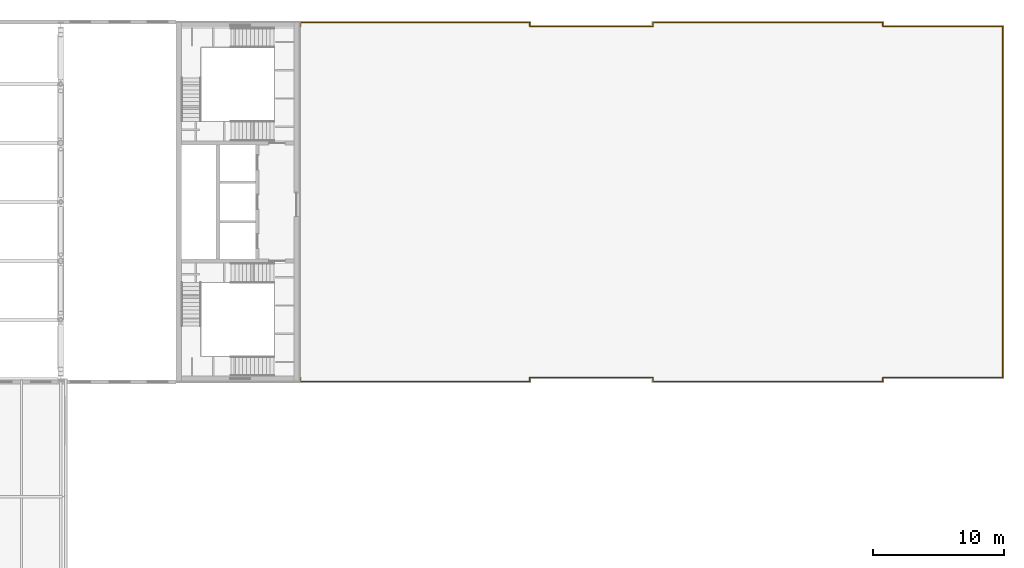
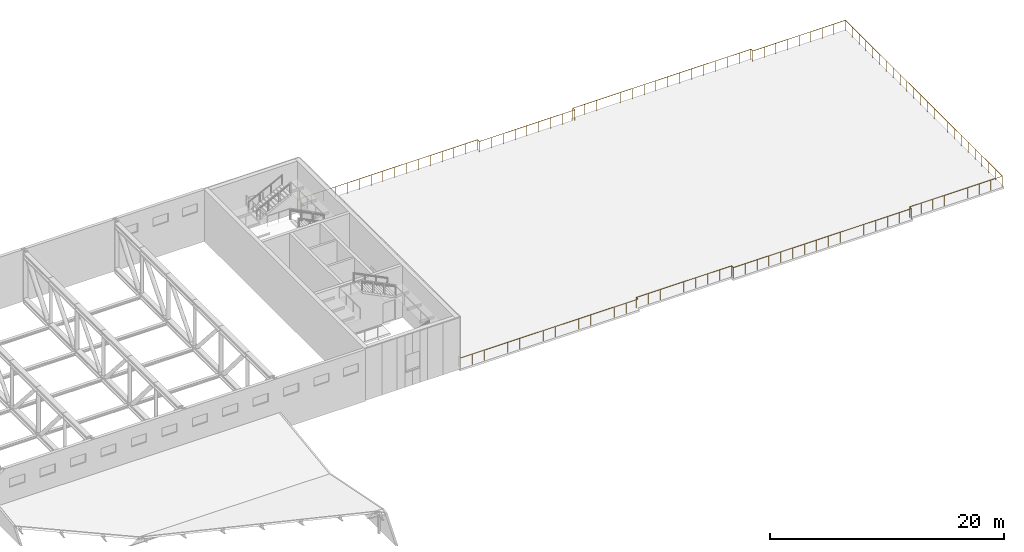
# One storey, part 29 of 29: 1 railing.
"""IFC4 building model written with IfcOpenShell, lengths in metres."""

from ifc_helpers import new_model, si_unit, direction, frame, origin, origin_2d, place, context, subcontext, project, spatial, circle, extrude, material, type_object, element, save


model = new_model("IFC4")

# Units and contexts
model_context = context("Model", 3, precision=1e-05, world=origin(), true_north=direction((0.0, 1.0)))
body_context = subcontext(model_context, "Body", "Model", "MODEL_VIEW")
ifc_project = project(units=[si_unit("LENGTHUNIT", "METRE"), si_unit("AREAUNIT", "SQUARE_METRE"), si_unit("VOLUMEUNIT", "CUBIC_METRE"), si_unit("PLANEANGLEUNIT", "RADIAN"), si_unit("MASSUNIT", "GRAM", prefix="KILO")], contexts=[model_context])

# Site, building, storey
site_placement = place(None, origin())
site = spatial("IfcSite", under=ifc_project, at=site_placement, CompositionType="ELEMENT")
building_placement = place(site_placement, origin())
building = spatial("IfcBuilding", under=site, at=building_placement, Name="Azimuth Sports and Learning Centre", CompositionType="ELEMENT")
storey_placement = place(building_placement, frame((0.0, 0.0, 27.0)))
storey = spatial("IfcBuildingStorey", under=building, at=storey_placement, Name="L05", CompositionType="ELEMENT", Elevation=27.0)

# Railing
ifc_material = material(Name="Stainless steel", Category="steel")
railing_type = type_object("IfcRailingType", Name="Terrace guard 1100", PredefinedType="GUARDRAIL", material=ifc_material)
railing_placement = place(storey_placement, frame((117.300048828125, 116.89990234375, 0.0)))
element("IfcRailing", 1, at=railing_placement, inside=storey, type_object=railing_type, Name="Terrace guard E", PredefinedType="GUARDRAIL", context=body_context, shape_type="SweptSolid", body=[
    extrude(circle(Radius=0.02490234375, at=origin_2d()), frame((0.0, 0.0, 1.0751953125), z_axis=(0.0, 1.0, 0.0), x_axis=(-1.0, 0.0, 0.0)), (0.0, 0.0, 1.0), 0.300048828125),
    extrude(circle(Radius=0.02490234375, at=origin_2d()), frame((0.0, 0.300048828125, 1.0751953125), z_axis=(1.0, 0.0, 0.0), x_axis=(0.0, 1.0, 0.0)), (0.0, 0.0, 1.0), 17.5),
    extrude(circle(Radius=0.02490234375, at=origin_2d()), frame((17.5, 0.300048828125, 1.0751953125), z_axis=(0.0, -1.0, 0.0), x_axis=(1.0, 0.0, 0.0)), (0.0, 0.0, 1.0), 0.300048828125),
    extrude(circle(Radius=0.02490234375, at=origin_2d()), frame((17.5, 0.0, 1.0751953125), z_axis=(1.0, 0.0, 0.0), x_axis=(0.0, 1.0, 0.0)), (0.0, 0.0, 1.0), 9.39990234375),
    extrude(circle(Radius=0.02490234375, at=origin_2d()), frame((26.89990234375, 0.0, 1.0751953125), z_axis=(0.0, 1.0, 0.0), x_axis=(-1.0, 0.0, 0.0)), (0.0, 0.0, 1.0), 0.300048828125),
    extrude(circle(Radius=0.02490234375, at=origin_2d()), frame((26.89990234375, 0.300048828125, 1.0751953125), z_axis=(1.0, 0.0, 0.0), x_axis=(0.0, 1.0, 0.0)), (0.0, 0.0, 1.0), 17.550048828125),
    extrude(circle(Radius=0.02490234375, at=origin_2d()), frame((44.449951171875, 0.300048828125, 1.0751953125), z_axis=(0.0, -1.0, 0.0), x_axis=(1.0, 0.0, 0.0)), (0.0, 0.0, 1.0), 0.300048828125),
    extrude(circle(Radius=0.02490234375, at=origin_2d()), frame((44.449951171875, 0.0, 1.0751953125), z_axis=(1.0, 0.0, 0.0), x_axis=(0.0, 1.0, 0.0)), (0.0, 0.0, 1.0), 9.14990234375),
    extrude(circle(Radius=0.02490234375, at=origin_2d()), frame((53.599853515625, 0.0, 1.0751953125), z_axis=(0.0, -1.0, 0.0), x_axis=(1.0, 0.0, 0.0)), (0.0, 0.0, 1.0), 26.7998046875),
    extrude(circle(Radius=0.02490234375, at=origin_2d()), frame((53.599853515625, -26.7998046875, 1.0751953125), z_axis=(-1.0, 0.0, 0.0), x_axis=(0.0, -1.0, 0.0)), (0.0, 0.0, 1.0), 9.14990234375),
    extrude(circle(Radius=0.02490234375, at=origin_2d()), frame((44.449951171875, -26.7998046875, 1.0751953125), z_axis=(0.0, -1.0, 0.0), x_axis=(1.0, 0.0, 0.0)), (0.0, 0.0, 1.0), 0.300048828125),
    extrude(circle(Radius=0.02490234375, at=origin_2d()), frame((44.449951171875, -27.099853515625, 1.0751953125), z_axis=(-1.0, 0.0, 0.0), x_axis=(0.0, -1.0, 0.0)), (0.0, 0.0, 1.0), 17.550048828125),
    extrude(circle(Radius=0.02490234375, at=origin_2d()), frame((26.89990234375, -27.099853515625, 1.0751953125), z_axis=(0.0, 1.0, 0.0), x_axis=(-1.0, 0.0, 0.0)), (0.0, 0.0, 1.0), 0.300048828125),
    extrude(circle(Radius=0.02490234375, at=origin_2d()), frame((26.89990234375, -26.7998046875, 1.0751953125), z_axis=(-1.0, 0.0, 0.0), x_axis=(0.0, -1.0, 0.0)), (0.0, 0.0, 1.0), 9.39990234375),
    extrude(circle(Radius=0.02490234375, at=origin_2d()), frame((17.5, -26.7998046875, 1.0751953125), z_axis=(0.0, -1.0, 0.0), x_axis=(1.0, 0.0, 0.0)), (0.0, 0.0, 1.0), 0.300048828125),
    extrude(circle(Radius=0.02490234375, at=origin_2d()), frame((17.5, -27.099853515625, 1.0751953125), z_axis=(-1.0, 0.0, 0.0), x_axis=(0.0, -1.0, 0.0)), (0.0, 0.0, 1.0), 17.5),
    extrude(circle(Radius=0.02490234375, at=origin_2d()), frame((0.0, -27.099853515625, 1.0751953125), z_axis=(0.0, 1.0, 0.0), x_axis=(-1.0, 0.0, 0.0)), (0.0, 0.0, 1.0), 0.300048828125),
    extrude(circle(Radius=0.02001953125, at=origin_2d()), origin(), (0.0, 0.0, 1.0), 1.050048828125),
    extrude(circle(Radius=0.02001953125, at=origin_2d()), frame((0.0, 0.300048828125, 0.0)), (0.0, 0.0, 1.0), 1.050048828125),
    extrude(circle(Radius=0.02001953125, at=origin_2d()), frame((1.166748046875, 0.300048828125, 0.0)), (0.0, 0.0, 1.0), 1.050048828125),
    extrude(circle(Radius=0.02001953125, at=origin_2d()), frame((2.333251953125, 0.300048828125, 0.0)), (0.0, 0.0, 1.0), 1.050048828125),
    extrude(circle(Radius=0.02001953125, at=origin_2d()), frame((3.5, 0.300048828125, 0.0)), (0.0, 0.0, 1.0), 1.050048828125),
    extrude(circle(Radius=0.02001953125, at=origin_2d()), frame((4.666748046875, 0.300048828125, 0.0)), (0.0, 0.0, 1.0), 1.050048828125),
    extrude(circle(Radius=0.02001953125, at=origin_2d()), frame((5.833251953125, 0.300048828125, 0.0)), (0.0, 0.0, 1.0), 1.050048828125),
    extrude(circle(Radius=0.02001953125, at=origin_2d()), frame((7.0, 0.300048828125, 0.0)), (0.0, 0.0, 1.0), 1.050048828125),
    extrude(circle(Radius=0.02001953125, at=origin_2d()), frame((8.166748046875, 0.300048828125, 0.0)), (0.0, 0.0, 1.0), 1.050048828125),
    extrude(circle(Radius=0.02001953125, at=origin_2d()), frame((9.333251953125, 0.300048828125, 0.0)), (0.0, 0.0, 1.0), 1.050048828125),
    extrude(circle(Radius=0.02001953125, at=origin_2d()), frame((10.5, 0.300048828125, 0.0)), (0.0, 0.0, 1.0), 1.050048828125),
    extrude(circle(Radius=0.02001953125, at=origin_2d()), frame((11.666748046875, 0.300048828125, 0.0)), (0.0, 0.0, 1.0), 1.050048828125),
    extrude(circle(Radius=0.02001953125, at=origin_2d()), frame((12.833251953125, 0.300048828125, 0.0)), (0.0, 0.0, 1.0), 1.050048828125),
    extrude(circle(Radius=0.02001953125, at=origin_2d()), frame((14.0, 0.300048828125, 0.0)), (0.0, 0.0, 1.0), 1.050048828125),
    extrude(circle(Radius=0.02001953125, at=origin_2d()), frame((15.166748046875, 0.300048828125, 0.0)), (0.0, 0.0, 1.0), 1.050048828125),
    extrude(circle(Radius=0.02001953125, at=origin_2d()), frame((16.333251953125, 0.300048828125, 0.0)), (0.0, 0.0, 1.0), 1.050048828125),
    extrude(circle(Radius=0.02001953125, at=origin_2d()), frame((17.5, 0.300048828125, 0.0)), (0.0, 0.0, 1.0), 1.050048828125),
    extrude(circle(Radius=0.02001953125, at=origin_2d()), frame((17.5, 0.0, 0.0)), (0.0, 0.0, 1.0), 1.050048828125),
    extrude(circle(Radius=0.02001953125, at=origin_2d()), frame((18.675048828125, 0.0, 0.0)), (0.0, 0.0, 1.0), 1.050048828125),
    extrude(circle(Radius=0.02001953125, at=origin_2d()), frame((19.85009765625, 0.0, 0.0)), (0.0, 0.0, 1.0), 1.050048828125),
    extrude(circle(Radius=0.02001953125, at=origin_2d()), frame((21.02490234375, 0.0, 0.0)), (0.0, 0.0, 1.0), 1.050048828125),
    extrude(circle(Radius=0.02001953125, at=origin_2d()), frame((22.199951171875, 0.0, 0.0)), (0.0, 0.0, 1.0), 1.050048828125),
    extrude(circle(Radius=0.02001953125, at=origin_2d()), frame((23.375, 0.0, 0.0)), (0.0, 0.0, 1.0), 1.050048828125),
    extrude(circle(Radius=0.02001953125, at=origin_2d()), frame((24.5498046875, 0.0, 0.0)), (0.0, 0.0, 1.0), 1.050048828125),
    extrude(circle(Radius=0.02001953125, at=origin_2d()), frame((25.724853515625, 0.0, 0.0)), (0.0, 0.0, 1.0), 1.050048828125),
    extrude(circle(Radius=0.02001953125, at=origin_2d()), frame((26.89990234375, 0.0, 0.0)), (0.0, 0.0, 1.0), 1.050048828125),
    extrude(circle(Radius=0.02001953125, at=origin_2d()), frame((26.89990234375, 0.300048828125, 0.0)), (0.0, 0.0, 1.0), 1.050048828125),
    extrude(circle(Radius=0.02001953125, at=origin_2d()), frame((28.06982421875, 0.300048828125, 0.0)), (0.0, 0.0, 1.0), 1.050048828125),
    extrude(circle(Radius=0.02001953125, at=origin_2d()), frame((29.239990234375, 0.300048828125, 0.0)), (0.0, 0.0, 1.0), 1.050048828125),
    extrude(circle(Radius=0.02001953125, at=origin_2d()), frame((30.409912109375, 0.300048828125, 0.0)), (0.0, 0.0, 1.0), 1.050048828125),
    extrude(circle(Radius=0.02001953125, at=origin_2d()), frame((31.579833984375, 0.300048828125, 0.0)), (0.0, 0.0, 1.0), 1.050048828125),
    extrude(circle(Radius=0.02001953125, at=origin_2d()), frame((32.75, 0.300048828125, 0.0)), (0.0, 0.0, 1.0), 1.050048828125),
    extrude(circle(Radius=0.02001953125, at=origin_2d()), frame((33.919921875, 0.300048828125, 0.0)), (0.0, 0.0, 1.0), 1.050048828125),
    extrude(circle(Radius=0.02001953125, at=origin_2d()), frame((35.08984375, 0.300048828125, 0.0)), (0.0, 0.0, 1.0), 1.050048828125),
    extrude(circle(Radius=0.02001953125, at=origin_2d()), frame((36.260009765625, 0.300048828125, 0.0)), (0.0, 0.0, 1.0), 1.050048828125),
    extrude(circle(Radius=0.02001953125, at=origin_2d()), frame((37.429931640625, 0.300048828125, 0.0)), (0.0, 0.0, 1.0), 1.050048828125),
    extrude(circle(Radius=0.02001953125, at=origin_2d()), frame((38.599853515625, 0.300048828125, 0.0)), (0.0, 0.0, 1.0), 1.050048828125),
    extrude(circle(Radius=0.02001953125, at=origin_2d()), frame((39.77001953125, 0.300048828125, 0.0)), (0.0, 0.0, 1.0), 1.050048828125),
    extrude(circle(Radius=0.02001953125, at=origin_2d()), frame((40.93994140625, 0.300048828125, 0.0)), (0.0, 0.0, 1.0), 1.050048828125),
    extrude(circle(Radius=0.02001953125, at=origin_2d()), frame((42.10986328125, 0.300048828125, 0.0)), (0.0, 0.0, 1.0), 1.050048828125),
    extrude(circle(Radius=0.02001953125, at=origin_2d()), frame((43.280029296875, 0.300048828125, 0.0)), (0.0, 0.0, 1.0), 1.050048828125),
    extrude(circle(Radius=0.02001953125, at=origin_2d()), frame((44.449951171875, 0.300048828125, 0.0)), (0.0, 0.0, 1.0), 1.050048828125),
    extrude(circle(Radius=0.02001953125, at=origin_2d()), frame((44.449951171875, 0.0, 0.0)), (0.0, 0.0, 1.0), 1.050048828125),
    extrude(circle(Radius=0.02001953125, at=origin_2d()), frame((45.59375, 0.0, 0.0)), (0.0, 0.0, 1.0), 1.050048828125),
    extrude(circle(Radius=0.02001953125, at=origin_2d()), frame((46.7373046875, 0.0, 0.0)), (0.0, 0.0, 1.0), 1.050048828125),
    extrude(circle(Radius=0.02001953125, at=origin_2d()), frame((47.881103515625, 0.0, 0.0)), (0.0, 0.0, 1.0), 1.050048828125),
    extrude(circle(Radius=0.02001953125, at=origin_2d()), frame((49.02490234375, 0.0, 0.0)), (0.0, 0.0, 1.0), 1.050048828125),
    extrude(circle(Radius=0.02001953125, at=origin_2d()), frame((50.168701171875, 0.0, 0.0)), (0.0, 0.0, 1.0), 1.050048828125),
    extrude(circle(Radius=0.02001953125, at=origin_2d()), frame((51.3125, 0.0, 0.0)), (0.0, 0.0, 1.0), 1.050048828125),
    extrude(circle(Radius=0.02001953125, at=origin_2d()), frame((52.4560546875, 0.0, 0.0)), (0.0, 0.0, 1.0), 1.050048828125),
    extrude(circle(Radius=0.02001953125, at=origin_2d()), frame((53.599853515625, 0.0, 0.0)), (0.0, 0.0, 1.0), 1.050048828125),
    extrude(circle(Radius=0.02001953125, at=origin_2d()), frame((53.599853515625, -1.165283203125, 0.0)), (0.0, 0.0, 1.0), 1.050048828125),
    extrude(circle(Radius=0.02001953125, at=origin_2d()), frame((53.599853515625, -2.330322265625, 0.0)), (0.0, 0.0, 1.0), 1.050048828125),
    extrude(circle(Radius=0.02001953125, at=origin_2d()), frame((53.599853515625, -3.49560546875, 0.0)), (0.0, 0.0, 1.0), 1.050048828125),
    extrude(circle(Radius=0.02001953125, at=origin_2d()), frame((53.599853515625, -4.660888671875, 0.0)), (0.0, 0.0, 1.0), 1.050048828125),
    extrude(circle(Radius=0.02001953125, at=origin_2d()), frame((53.599853515625, -5.825927734375, 0.0)), (0.0, 0.0, 1.0), 1.050048828125),
    extrude(circle(Radius=0.02001953125, at=origin_2d()), frame((53.599853515625, -6.9912109375, 0.0)), (0.0, 0.0, 1.0), 1.050048828125),
    extrude(circle(Radius=0.02001953125, at=origin_2d()), frame((53.599853515625, -8.156494140625, 0.0)), (0.0, 0.0, 1.0), 1.050048828125),
    extrude(circle(Radius=0.02001953125, at=origin_2d()), frame((53.599853515625, -9.32177734375, 0.0)), (0.0, 0.0, 1.0), 1.050048828125),
    extrude(circle(Radius=0.02001953125, at=origin_2d()), frame((53.599853515625, -10.48681640625, 0.0)), (0.0, 0.0, 1.0), 1.050048828125),
    extrude(circle(Radius=0.02001953125, at=origin_2d()), frame((53.599853515625, -11.652099609375, 0.0)), (0.0, 0.0, 1.0), 1.050048828125),
    extrude(circle(Radius=0.02001953125, at=origin_2d()), frame((53.599853515625, -12.8173828125, 0.0)), (0.0, 0.0, 1.0), 1.050048828125),
    extrude(circle(Radius=0.02001953125, at=origin_2d()), frame((53.599853515625, -13.982421875, 0.0)), (0.0, 0.0, 1.0), 1.050048828125),
    extrude(circle(Radius=0.02001953125, at=origin_2d()), frame((53.599853515625, -15.147705078125, 0.0)), (0.0, 0.0, 1.0), 1.050048828125),
    extrude(circle(Radius=0.02001953125, at=origin_2d()), frame((53.599853515625, -16.31298828125, 0.0)), (0.0, 0.0, 1.0), 1.050048828125),
    extrude(circle(Radius=0.02001953125, at=origin_2d()), frame((53.599853515625, -17.47802734375, 0.0)), (0.0, 0.0, 1.0), 1.050048828125),
    extrude(circle(Radius=0.02001953125, at=origin_2d()), frame((53.599853515625, -18.643310546875, 0.0)), (0.0, 0.0, 1.0), 1.050048828125),
    extrude(circle(Radius=0.02001953125, at=origin_2d()), frame((53.599853515625, -19.80859375, 0.0)), (0.0, 0.0, 1.0), 1.050048828125),
    extrude(circle(Radius=0.02001953125, at=origin_2d()), frame((53.599853515625, -20.973876953125, 0.0)), (0.0, 0.0, 1.0), 1.050048828125),
    extrude(circle(Radius=0.02001953125, at=origin_2d()), frame((53.599853515625, -22.138916015625, 0.0)), (0.0, 0.0, 1.0), 1.050048828125),
    extrude(circle(Radius=0.02001953125, at=origin_2d()), frame((53.599853515625, -23.30419921875, 0.0)), (0.0, 0.0, 1.0), 1.050048828125),
    extrude(circle(Radius=0.02001953125, at=origin_2d()), frame((53.599853515625, -24.469482421875, 0.0)), (0.0, 0.0, 1.0), 1.050048828125),
    extrude(circle(Radius=0.02001953125, at=origin_2d()), frame((53.599853515625, -25.634521484375, 0.0)), (0.0, 0.0, 1.0), 1.050048828125),
    extrude(circle(Radius=0.02001953125, at=origin_2d()), frame((53.599853515625, -26.7998046875, 0.0)), (0.0, 0.0, 1.0), 1.050048828125),
    extrude(circle(Radius=0.02001953125, at=origin_2d()), frame((52.4560546875, -26.7998046875, 0.0)), (0.0, 0.0, 1.0), 1.050048828125),
    extrude(circle(Radius=0.02001953125, at=origin_2d()), frame((51.3125, -26.7998046875, 0.0)), (0.0, 0.0, 1.0), 1.050048828125),
    extrude(circle(Radius=0.02001953125, at=origin_2d()), frame((50.168701171875, -26.7998046875, 0.0)), (0.0, 0.0, 1.0), 1.050048828125),
    extrude(circle(Radius=0.02001953125, at=origin_2d()), frame((49.02490234375, -26.7998046875, 0.0)), (0.0, 0.0, 1.0), 1.050048828125),
    extrude(circle(Radius=0.02001953125, at=origin_2d()), frame((47.881103515625, -26.7998046875, 0.0)), (0.0, 0.0, 1.0), 1.050048828125),
    extrude(circle(Radius=0.02001953125, at=origin_2d()), frame((46.7373046875, -26.7998046875, 0.0)), (0.0, 0.0, 1.0), 1.050048828125),
    extrude(circle(Radius=0.02001953125, at=origin_2d()), frame((45.59375, -26.7998046875, 0.0)), (0.0, 0.0, 1.0), 1.050048828125),
    extrude(circle(Radius=0.02001953125, at=origin_2d()), frame((44.449951171875, -26.7998046875, 0.0)), (0.0, 0.0, 1.0), 1.050048828125),
    extrude(circle(Radius=0.02001953125, at=origin_2d()), frame((44.449951171875, -27.099853515625, 0.0)), (0.0, 0.0, 1.0), 1.050048828125),
    extrude(circle(Radius=0.02001953125, at=origin_2d()), frame((43.280029296875, -27.099853515625, 0.0)), (0.0, 0.0, 1.0), 1.050048828125),
    extrude(circle(Radius=0.02001953125, at=origin_2d()), frame((42.10986328125, -27.099853515625, 0.0)), (0.0, 0.0, 1.0), 1.050048828125),
    extrude(circle(Radius=0.02001953125, at=origin_2d()), frame((40.93994140625, -27.099853515625, 0.0)), (0.0, 0.0, 1.0), 1.050048828125),
    extrude(circle(Radius=0.02001953125, at=origin_2d()), frame((39.77001953125, -27.099853515625, 0.0)), (0.0, 0.0, 1.0), 1.050048828125),
    extrude(circle(Radius=0.02001953125, at=origin_2d()), frame((38.599853515625, -27.099853515625, 0.0)), (0.0, 0.0, 1.0), 1.050048828125),
    extrude(circle(Radius=0.02001953125, at=origin_2d()), frame((37.429931640625, -27.099853515625, 0.0)), (0.0, 0.0, 1.0), 1.050048828125),
    extrude(circle(Radius=0.02001953125, at=origin_2d()), frame((36.260009765625, -27.099853515625, 0.0)), (0.0, 0.0, 1.0), 1.050048828125),
    extrude(circle(Radius=0.02001953125, at=origin_2d()), frame((35.08984375, -27.099853515625, 0.0)), (0.0, 0.0, 1.0), 1.050048828125),
    extrude(circle(Radius=0.02001953125, at=origin_2d()), frame((33.919921875, -27.099853515625, 0.0)), (0.0, 0.0, 1.0), 1.050048828125),
    extrude(circle(Radius=0.02001953125, at=origin_2d()), frame((32.75, -27.099853515625, 0.0)), (0.0, 0.0, 1.0), 1.050048828125),
    extrude(circle(Radius=0.02001953125, at=origin_2d()), frame((31.579833984375, -27.099853515625, 0.0)), (0.0, 0.0, 1.0), 1.050048828125),
    extrude(circle(Radius=0.02001953125, at=origin_2d()), frame((30.409912109375, -27.099853515625, 0.0)), (0.0, 0.0, 1.0), 1.050048828125),
    extrude(circle(Radius=0.02001953125, at=origin_2d()), frame((29.239990234375, -27.099853515625, 0.0)), (0.0, 0.0, 1.0), 1.050048828125),
    extrude(circle(Radius=0.02001953125, at=origin_2d()), frame((28.06982421875, -27.099853515625, 0.0)), (0.0, 0.0, 1.0), 1.050048828125),
    extrude(circle(Radius=0.02001953125, at=origin_2d()), frame((26.89990234375, -27.099853515625, 0.0)), (0.0, 0.0, 1.0), 1.050048828125),
    extrude(circle(Radius=0.02001953125, at=origin_2d()), frame((26.89990234375, -26.7998046875, 0.0)), (0.0, 0.0, 1.0), 1.050048828125),
    extrude(circle(Radius=0.02001953125, at=origin_2d()), frame((25.724853515625, -26.7998046875, 0.0)), (0.0, 0.0, 1.0), 1.050048828125),
    extrude(circle(Radius=0.02001953125, at=origin_2d()), frame((24.5498046875, -26.7998046875, 0.0)), (0.0, 0.0, 1.0), 1.050048828125),
    extrude(circle(Radius=0.02001953125, at=origin_2d()), frame((23.375, -26.7998046875, 0.0)), (0.0, 0.0, 1.0), 1.050048828125),
    extrude(circle(Radius=0.02001953125, at=origin_2d()), frame((22.199951171875, -26.7998046875, 0.0)), (0.0, 0.0, 1.0), 1.050048828125),
    extrude(circle(Radius=0.02001953125, at=origin_2d()), frame((21.02490234375, -26.7998046875, 0.0)), (0.0, 0.0, 1.0), 1.050048828125),
    extrude(circle(Radius=0.02001953125, at=origin_2d()), frame((19.85009765625, -26.7998046875, 0.0)), (0.0, 0.0, 1.0), 1.050048828125),
    extrude(circle(Radius=0.02001953125, at=origin_2d()), frame((18.675048828125, -26.7998046875, 0.0)), (0.0, 0.0, 1.0), 1.050048828125),
    extrude(circle(Radius=0.02001953125, at=origin_2d()), frame((17.5, -26.7998046875, 0.0)), (0.0, 0.0, 1.0), 1.050048828125),
    extrude(circle(Radius=0.02001953125, at=origin_2d()), frame((17.5, -27.099853515625, 0.0)), (0.0, 0.0, 1.0), 1.050048828125),
    extrude(circle(Radius=0.02001953125, at=origin_2d()), frame((16.333251953125, -27.099853515625, 0.0)), (0.0, 0.0, 1.0), 1.050048828125),
    extrude(circle(Radius=0.02001953125, at=origin_2d()), frame((15.166748046875, -27.099853515625, 0.0)), (0.0, 0.0, 1.0), 1.050048828125),
    extrude(circle(Radius=0.02001953125, at=origin_2d()), frame((14.0, -27.099853515625, 0.0)), (0.0, 0.0, 1.0), 1.050048828125),
    extrude(circle(Radius=0.02001953125, at=origin_2d()), frame((12.833251953125, -27.099853515625, 0.0)), (0.0, 0.0, 1.0), 1.050048828125),
    extrude(circle(Radius=0.02001953125, at=origin_2d()), frame((11.666748046875, -27.099853515625, 0.0)), (0.0, 0.0, 1.0), 1.050048828125),
    extrude(circle(Radius=0.02001953125, at=origin_2d()), frame((10.5, -27.099853515625, 0.0)), (0.0, 0.0, 1.0), 1.050048828125),
    extrude(circle(Radius=0.02001953125, at=origin_2d()), frame((9.333251953125, -27.099853515625, 0.0)), (0.0, 0.0, 1.0), 1.050048828125),
    extrude(circle(Radius=0.02001953125, at=origin_2d()), frame((8.166748046875, -27.099853515625, 0.0)), (0.0, 0.0, 1.0), 1.050048828125),
    extrude(circle(Radius=0.02001953125, at=origin_2d()), frame((7.0, -27.099853515625, 0.0)), (0.0, 0.0, 1.0), 1.050048828125),
    extrude(circle(Radius=0.02001953125, at=origin_2d()), frame((5.833251953125, -27.099853515625, 0.0)), (0.0, 0.0, 1.0), 1.050048828125),
    extrude(circle(Radius=0.02001953125, at=origin_2d()), frame((4.666748046875, -27.099853515625, 0.0)), (0.0, 0.0, 1.0), 1.050048828125),
    extrude(circle(Radius=0.02001953125, at=origin_2d()), frame((3.5, -27.099853515625, 0.0)), (0.0, 0.0, 1.0), 1.050048828125),
    extrude(circle(Radius=0.02001953125, at=origin_2d()), frame((2.333251953125, -27.099853515625, 0.0)), (0.0, 0.0, 1.0), 1.050048828125),
    extrude(circle(Radius=0.02001953125, at=origin_2d()), frame((1.166748046875, -27.099853515625, 0.0)), (0.0, 0.0, 1.0), 1.050048828125),
    extrude(circle(Radius=0.02001953125, at=origin_2d()), frame((0.0, -27.099853515625, 0.0)), (0.0, 0.0, 1.0), 1.050048828125),
    extrude(circle(Radius=0.02001953125, at=origin_2d()), frame((0.0, -26.7998046875, 0.0)), (0.0, 0.0, 1.0), 1.050048828125),
])

save(model, "model.ifc")
